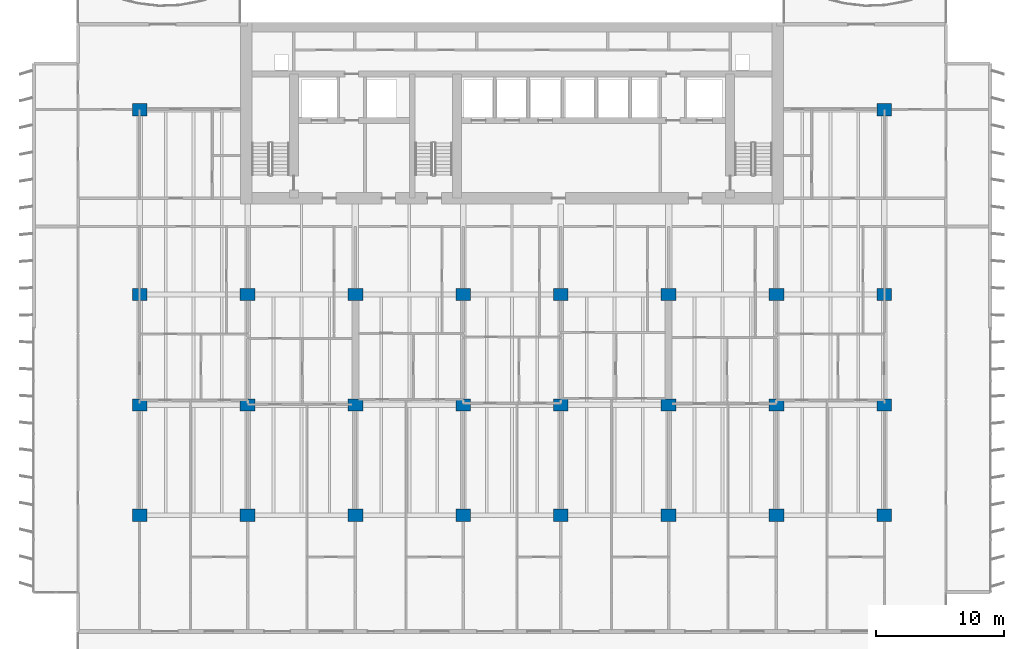
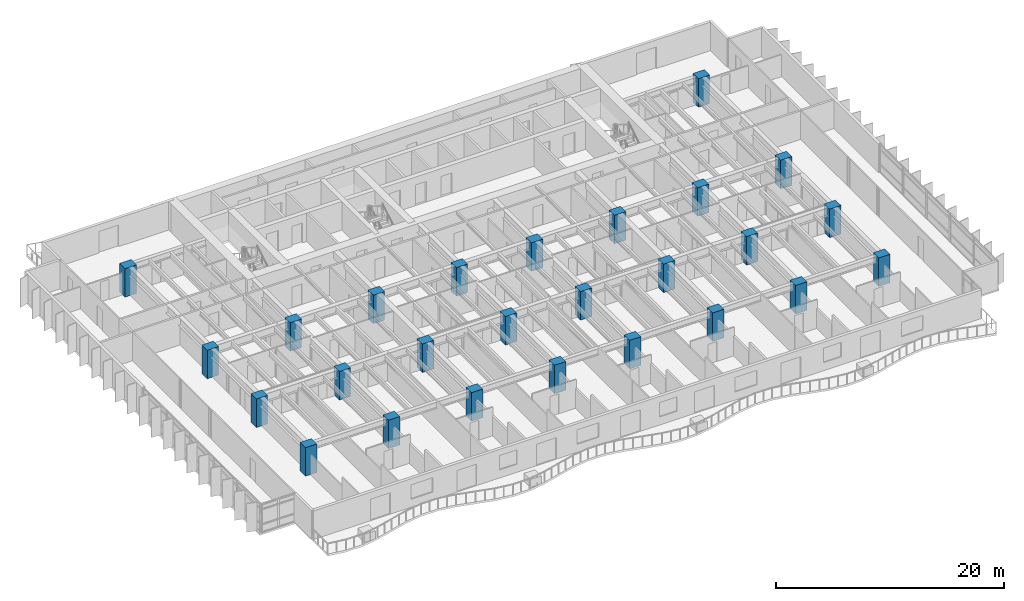
# One storey, part 1 of 19: 26 columns.
"""IFC4 building model written with IfcOpenShell, lengths in metres."""

from ifc_helpers import new_model, si_unit, direction, frame, origin, origin_2d, place, context, subcontext, project, spatial, rectangle, extrude, material, material_profile, profile_set, type_object, element, save


model = new_model("IFC4")

# Units and contexts
model_context = context("Model", 3, precision=1e-05, world=origin(), true_north=direction((0.0, 1.0)))
body_context = subcontext(model_context, "Body", "Model", "MODEL_VIEW")
ifc_project = project(units=[si_unit("LENGTHUNIT", "METRE"), si_unit("AREAUNIT", "SQUARE_METRE"), si_unit("VOLUMEUNIT", "CUBIC_METRE"), si_unit("PLANEANGLEUNIT", "RADIAN"), si_unit("MASSUNIT", "GRAM", prefix="KILO")], contexts=[model_context])

# Site, building, storey
site_placement = place(None, origin())
site = spatial("IfcSite", under=ifc_project, at=site_placement, CompositionType="ELEMENT")
building_placement = place(site_placement, origin())
building = spatial("IfcBuilding", under=site, at=building_placement, Name="Caelmar Bay Residences", CompositionType="ELEMENT")
storey_placement = place(building_placement, frame((0.0, 0.0, 66.300048828125)))
storey = spatial("IfcBuildingStorey", under=building, at=storey_placement, Name="L17", CompositionType="ELEMENT", Elevation=66.300048828125)

# Columns
ifc_material = material(Name="Concrete f'c 70 MPa (10,000 psi)", Category="concrete")
ifc_material_profile = material_profile(ifc_material, rectangle(XDim=1.14990234375, YDim=0.949951171875, at=origin_2d()), Name="RC-COL-1150X950")
ifc_profile_set = profile_set([ifc_material_profile], Name="Concrete f'c 70 MPa (10,000 psi)")
column_type = type_object("IfcColumnType", Name="COL-RC-1150X950", PredefinedType="COLUMN", material=ifc_profile_set)
for number, where, z_axis, x_axis, name in (
    (1, (9.89990234375, 12.199951171875, 0.0), (0.0, 0.0, 1.0), (1.0, 0.0, 0.0), "L17 Column (9.90,12.20)"),
    (2, (18.300048828125, 12.199951171875, 0.0), (0.0, 0.0, 1.0), (1.0, 0.0, 0.0), "L17 Column (18.30,12.20)"),
    (3, (26.699951171875, 12.199951171875, 0.0), (0.0, 0.0, 1.0), (1.0, 0.0, 0.0), "L17 Column (26.70,12.20)"),
    (4, (35.10009765625, 12.199951171875, 0.0), (0.0, 0.0, 1.0), (1.0, 0.0, 0.0), "L17 Column (35.10,12.20)"),
    (5, (42.699951171875, 12.199951171875, 0.0), (0.0, 0.0, 1.0), (1.0, 0.0, 0.0), "L17 Column (42.70,12.20)"),
    (6, (51.10009765625, 12.199951171875, 0.0), (0.0, 0.0, 1.0), (1.0, 0.0, 0.0), "L17 Column (51.10,12.20)"),
    (7, (59.5, 12.199951171875, 0.0), (0.0, 0.0, 1.0), (1.0, 0.0, 0.0), "L17 Column (59.50,12.20)"),
    (8, (67.89990234375, 12.199951171875, 0.0), (0.0, 0.0, 1.0), (1.0, 0.0, 0.0), "L17 Column (67.90,12.20)"),
    (9, (9.89990234375, 20.800048828125, 0.0), (0.0, 0.0, 1.0), (1.0, 0.0, 0.0), "L17 Column (9.90,20.80)"),
    (10, (18.300048828125, 20.800048828125, 0.0), (0.0, 0.0, 1.0), (1.0, 0.0, 0.0), "L17 Column (18.30,20.80)"),
    (11, (26.699951171875, 20.800048828125, 0.0), (0.0, 0.0, 1.0), (1.0, 0.0, 0.0), "L17 Column (26.70,20.80)"),
    (12, (35.10009765625, 20.800048828125, 0.0), (0.0, 0.0, 1.0), (1.0, 0.0, 0.0), "L17 Column (35.10,20.80)"),
    (13, (42.699951171875, 20.800048828125, 0.0), (0.0, 0.0, 1.0), (1.0, 0.0, 0.0), "L17 Column (42.70,20.80)"),
    (14, (51.10009765625, 20.800048828125, 0.0), (0.0, 0.0, 1.0), (1.0, 0.0, 0.0), "L17 Column (51.10,20.80)"),
    (15, (59.5, 20.800048828125, 0.0), (0.0, 0.0, 1.0), (1.0, 0.0, 0.0), "L17 Column (59.50,20.80)"),
    (16, (67.89990234375, 20.800048828125, 0.0), (0.0, 0.0, 1.0), (1.0, 0.0, 0.0), "L17 Column (67.90,20.80)"),
    (17, (9.89990234375, 29.39990234375, 0.0), (0.0, 0.0, 1.0), (1.0, 0.0, 0.0), "L17 Column (9.90,29.40)"),
    (18, (18.300048828125, 29.39990234375, 0.0), (0.0, 0.0, 1.0), (1.0, 0.0, 0.0), "L17 Column (18.30,29.40)"),
    (19, (26.699951171875, 29.39990234375, 0.0), (0.0, 0.0, 1.0), (1.0, 0.0, 0.0), "L17 Column (26.70,29.40)"),
    (20, (35.10009765625, 29.39990234375, 0.0), (0.0, 0.0, 1.0), (1.0, 0.0, 0.0), "L17 Column (35.10,29.40)"),
    (21, (42.699951171875, 29.39990234375, 0.0), (0.0, 0.0, 1.0), (1.0, 0.0, 0.0), "L17 Column (42.70,29.40)"),
    (22, (51.10009765625, 29.39990234375, 0.0), (0.0, 0.0, 1.0), (1.0, 0.0, 0.0), "L17 Column (51.10,29.40)"),
    (23, (59.5, 29.39990234375, 0.0), (0.0, 0.0, 1.0), (1.0, 0.0, 0.0), "L17 Column (59.50,29.40)"),
    (24, (67.89990234375, 29.39990234375, 0.0), (0.0, 0.0, 1.0), (1.0, 0.0, 0.0), "L17 Column (67.90,29.40)"),
    (25, (9.89990234375, 43.800048828125, 0.0), (0.0, 0.0, 1.0), (1.0, 0.0, 0.0), "L17 Column (9.90,43.80)"),
    (26, (67.89990234375, 43.800048828125, 0.0), (0.0, 0.0, 1.0), (1.0, 0.0, 0.0), "L17 Column (67.90,43.80)"),
):
    element("IfcColumn", number, at=place(storey_placement, frame(where, z_axis=z_axis, x_axis=x_axis)), inside=storey, type_object=column_type, Name=name, PredefinedType="COLUMN", context=body_context, shape_type="SweptSolid", body=[
        extrude(rectangle(XDim=1.14990234375, YDim=0.949951171875, at=origin_2d()), origin(), (0.0, 0.0, 1.0), 3.050048828125),
    ])

save(model, "model.ifc")
